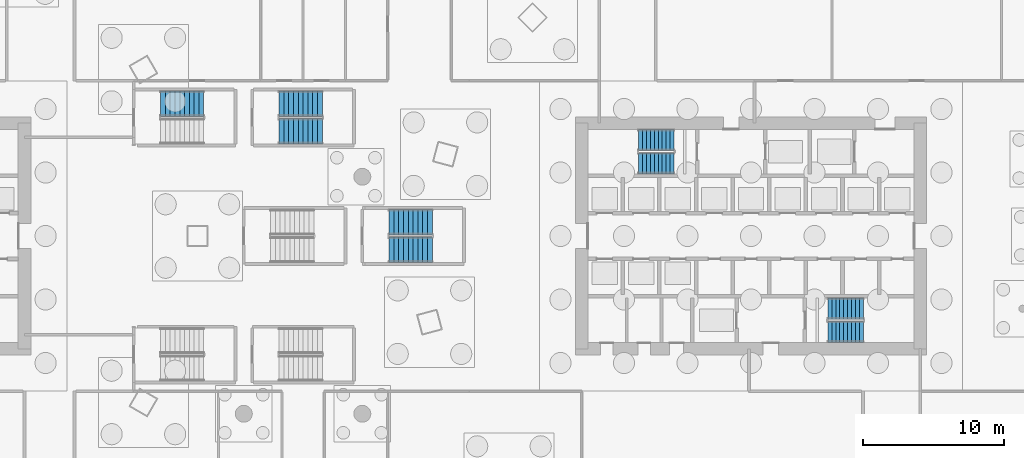
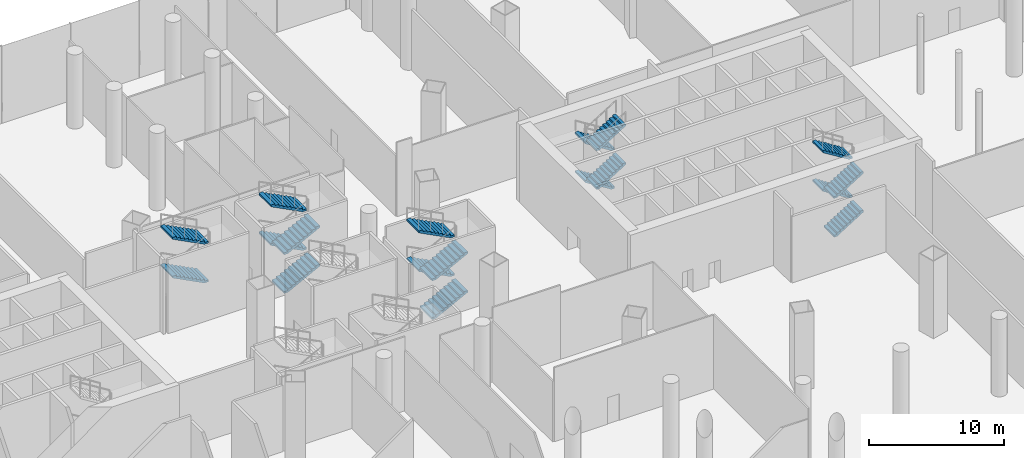
# One storey, part 36 of 41: 18 stair flights, 5 elements without a shape of their own.
"""IFC4 building model written with IfcOpenShell, lengths in metres."""

from ifc_helpers import new_model, si_unit, direction, frame, origin, place, context, subcontext, project, spatial, polyline, outline, extrude, material, type_object, element, aggregate, save


model = new_model("IFC4")

# Units and contexts
model_context = context("Model", 3, precision=1e-05, world=origin(), true_north=direction((0.0, 1.0)))
body_context = subcontext(model_context, "Body", "Model", "MODEL_VIEW")
ifc_project = project(units=[si_unit("LENGTHUNIT", "METRE"), si_unit("AREAUNIT", "SQUARE_METRE"), si_unit("VOLUMEUNIT", "CUBIC_METRE"), si_unit("PLANEANGLEUNIT", "RADIAN"), si_unit("MASSUNIT", "GRAM", prefix="KILO")], contexts=[model_context])

# Site, building, storey
site_placement = place(None, origin())
site = spatial("IfcSite", under=ifc_project, at=site_placement, CompositionType="ELEMENT")
building_placement = place(site_placement, origin())
building = spatial("IfcBuilding", under=site, at=building_placement, Name="Rimbun Link Towers", CompositionType="ELEMENT")
storey_placement = place(building_placement, origin())
storey = spatial("IfcBuildingStorey", under=building, at=storey_placement, Name="L00", CompositionType="ELEMENT", Elevation=0.0)

# Stair, stair flights
ifc_material_1 = material(Name="Concrete C40/50", Category="concrete")
stair_type_1 = type_object("IfcStairType", Name="Exit stair 7000 rise", PredefinedType="HALF_TURN_STAIR", material=ifc_material_1)
stair_1_placement = place(storey_placement, origin())
stair_1 = element("IfcStair", 1, at=stair_1_placement, inside=storey, type_object=stair_type_1, Name="L00 EXIT STAIR A", PredefinedType="HALF_TURN_STAIR")
ifc_material_2 = material(Name="Concrete C40/50", Category="concrete")
stair_flight_type_1 = type_object("IfcStairFlightType", Name="Exit stair flight 7000 rise", PredefinedType="STRAIGHT", material=ifc_material_2)
stair_flight_1_placement = place(storey_placement, frame((26.300048828125, 6.800048828125, 0.0), z_axis=(0.0, 0.0, 1.0), x_axis=(-1.0, 0.0, 0.0)))
stair_flight_1 = element("IfcStairFlight", 2, at=stair_flight_1_placement, type_object=stair_flight_type_1, Name="ST3 flight 1", NumberOfRisers=10, NumberOfTreads=9, PredefinedType="STRAIGHT", RiserHeight=0.175, TreadLength=0.28, context=body_context, shape_type="SweptSolid", body=[
    extrude(outline(polyline([(0.0, 0.0), (0.0, 0.175048828125), (0.280029296875, 0.175048828125), (0.280029296875, 0.35009765625), (0.56005859375, 0.35009765625), (0.56005859375, 0.52490234375), (0.840087890625, 0.52490234375), (0.840087890625, 0.699951171875), (1.1201171875, 0.699951171875), (1.1201171875, 0.875), (1.39990234375, 0.875), (1.39990234375, 1.050048828125), (1.679931640625, 1.050048828125), (1.679931640625, 1.22509765625), (1.9599609375, 1.22509765625), (1.9599609375, 1.39990234375), (2.239990234375, 1.39990234375), (2.239990234375, 1.574951171875), (2.52001953125, 1.574951171875), (2.52001953125, 1.75), (2.52001953125, 1.398193359375), (0.280029296875, 0.0), (0.0, 0.0)])), frame((0.0, 0.75, 0.0), z_axis=(0.0, -1.0, 0.0), x_axis=(1.0, 0.0, 0.0)), (0.0, 0.0, 1.0), 1.5),
])
stair_flight_2_placement = place(storey_placement, frame((23.780029296875, 5.14990234375, 1.75), z_axis=(0.0, 0.0, 1.0), x_axis=(1.0, 0.0, 0.0)))
stair_flight_2 = element("IfcStairFlight", 3, at=stair_flight_2_placement, type_object=stair_flight_type_1, Name="ST3 flight 2", NumberOfRisers=10, NumberOfTreads=9, PredefinedType="STRAIGHT", RiserHeight=0.175, TreadLength=0.28, context=body_context, shape_type="SweptSolid", body=[
    extrude(outline(polyline([(0.0, 0.0), (0.0, 0.175048828125), (0.280029296875, 0.175048828125), (0.280029296875, 0.35009765625), (0.56005859375, 0.35009765625), (0.56005859375, 0.52490234375), (0.840087890625, 0.52490234375), (0.840087890625, 0.699951171875), (1.1201171875, 0.699951171875), (1.1201171875, 0.875), (1.39990234375, 0.875), (1.39990234375, 1.050048828125), (1.679931640625, 1.050048828125), (1.679931640625, 1.22509765625), (1.9599609375, 1.22509765625), (1.9599609375, 1.39990234375), (2.239990234375, 1.39990234375), (2.239990234375, 1.574951171875), (2.52001953125, 1.574951171875), (2.52001953125, 1.75), (2.52001953125, 1.398193359375), (0.280029296875, 0.0), (0.0, 0.0)])), frame((0.0, 0.75, 0.0), z_axis=(0.0, -1.0, 0.0), x_axis=(1.0, 0.0, 0.0)), (0.0, 0.0, 1.0), 1.5),
])
stair_flight_3_placement = place(storey_placement, frame((26.300048828125, 6.800048828125, 3.5), z_axis=(0.0, 0.0, 1.0), x_axis=(-1.0, 0.0, 0.0)))
stair_flight_3 = element("IfcStairFlight", 4, at=stair_flight_3_placement, type_object=stair_flight_type_1, Name="ST3 flight 3", NumberOfRisers=10, NumberOfTreads=9, PredefinedType="STRAIGHT", RiserHeight=0.175, TreadLength=0.28, context=body_context, shape_type="SweptSolid", body=[
    extrude(outline(polyline([(0.0, 0.0), (0.0, 0.175048828125), (0.280029296875, 0.175048828125), (0.280029296875, 0.35009765625), (0.56005859375, 0.35009765625), (0.56005859375, 0.52490234375), (0.840087890625, 0.52490234375), (0.840087890625, 0.699951171875), (1.1201171875, 0.699951171875), (1.1201171875, 0.875), (1.39990234375, 0.875), (1.39990234375, 1.050048828125), (1.679931640625, 1.050048828125), (1.679931640625, 1.22509765625), (1.9599609375, 1.22509765625), (1.9599609375, 1.39990234375), (2.239990234375, 1.39990234375), (2.239990234375, 1.574951171875), (2.52001953125, 1.574951171875), (2.52001953125, 1.75), (2.52001953125, 1.398193359375), (0.280029296875, 0.0), (0.0, 0.0)])), frame((0.0, 0.75, 0.0), z_axis=(0.0, -1.0, 0.0), x_axis=(1.0, 0.0, 0.0)), (0.0, 0.0, 1.0), 1.5),
])
stair_flight_4_placement = place(storey_placement, frame((23.780029296875, 5.14990234375, 5.25), z_axis=(0.0, 0.0, 1.0), x_axis=(1.0, 0.0, 0.0)))
stair_flight_4 = element("IfcStairFlight", 5, at=stair_flight_4_placement, type_object=stair_flight_type_1, Name="ST3 flight 4", NumberOfRisers=10, NumberOfTreads=9, PredefinedType="STRAIGHT", RiserHeight=0.175, TreadLength=0.28, context=body_context, shape_type="SweptSolid", body=[
    extrude(outline(polyline([(0.0, 0.0), (0.0, 0.175048828125), (0.280029296875, 0.175048828125), (0.280029296875, 0.35009765625), (0.56005859375, 0.35009765625), (0.56005859375, 0.52490234375), (0.840087890625, 0.52490234375), (0.840087890625, 0.699951171875), (1.1201171875, 0.699951171875), (1.1201171875, 0.875), (1.39990234375, 0.875), (1.39990234375, 1.050048828125), (1.679931640625, 1.050048828125), (1.679931640625, 1.22509765625), (1.9599609375, 1.22509765625), (1.9599609375, 1.39990234375), (2.239990234375, 1.39990234375), (2.239990234375, 1.574951171875), (2.52001953125, 1.574951171875), (2.52001953125, 1.75), (2.52001953125, 1.398193359375), (0.280029296875, 0.0), (0.0, 0.0)])), frame((0.0, 0.75, 0.0), z_axis=(0.0, -1.0, 0.0), x_axis=(1.0, 0.0, 0.0)), (0.0, 0.0, 1.0), 1.5),
])
aggregate(stair_1, [stair_flight_1, stair_flight_2, stair_flight_3, stair_flight_4])

stair_2_placement = place(storey_placement, origin())
stair_2 = element("IfcStair", 6, at=stair_2_placement, inside=storey, type_object=stair_type_1, Name="L00 EXIT STAIR B", PredefinedType="HALF_TURN_STAIR")
stair_flight_5_placement = place(storey_placement, frame((37.199951171875, -6.800048828125, 0.0), z_axis=(0.0, 0.0, 1.0), x_axis=(1.0, 0.0, 0.0)))
stair_flight_5 = element("IfcStairFlight", 7, at=stair_flight_5_placement, type_object=stair_flight_type_1, Name="ST4 flight 1", NumberOfRisers=10, NumberOfTreads=9, PredefinedType="STRAIGHT", RiserHeight=0.175, TreadLength=0.28, context=body_context, shape_type="SweptSolid", body=[
    extrude(outline(polyline([(0.0, 0.0), (0.0, 0.175048828125), (0.280029296875, 0.175048828125), (0.280029296875, 0.35009765625), (0.56005859375, 0.35009765625), (0.56005859375, 0.52490234375), (0.840087890625, 0.52490234375), (0.840087890625, 0.699951171875), (1.1201171875, 0.699951171875), (1.1201171875, 0.875), (1.39990234375, 0.875), (1.39990234375, 1.050048828125), (1.679931640625, 1.050048828125), (1.679931640625, 1.22509765625), (1.9599609375, 1.22509765625), (1.9599609375, 1.39990234375), (2.239990234375, 1.39990234375), (2.239990234375, 1.574951171875), (2.52001953125, 1.574951171875), (2.52001953125, 1.75), (2.52001953125, 1.398193359375), (0.280029296875, 0.0), (0.0, 0.0)])), frame((0.0, 0.75, 0.0), z_axis=(0.0, -1.0, 0.0), x_axis=(1.0, 0.0, 0.0)), (0.0, 0.0, 1.0), 1.5),
])
stair_flight_6_placement = place(storey_placement, frame((39.719970703125, -5.14990234375, 1.75), z_axis=(0.0, 0.0, 1.0), x_axis=(-1.0, 0.0, 0.0)))
stair_flight_6 = element("IfcStairFlight", 8, at=stair_flight_6_placement, type_object=stair_flight_type_1, Name="ST4 flight 2", NumberOfRisers=10, NumberOfTreads=9, PredefinedType="STRAIGHT", RiserHeight=0.175, TreadLength=0.28, context=body_context, shape_type="SweptSolid", body=[
    extrude(outline(polyline([(0.0, 0.0), (0.0, 0.175048828125), (0.280029296875, 0.175048828125), (0.280029296875, 0.35009765625), (0.56005859375, 0.35009765625), (0.56005859375, 0.52490234375), (0.840087890625, 0.52490234375), (0.840087890625, 0.699951171875), (1.1201171875, 0.699951171875), (1.1201171875, 0.875), (1.39990234375, 0.875), (1.39990234375, 1.050048828125), (1.679931640625, 1.050048828125), (1.679931640625, 1.22509765625), (1.9599609375, 1.22509765625), (1.9599609375, 1.39990234375), (2.239990234375, 1.39990234375), (2.239990234375, 1.574951171875), (2.52001953125, 1.574951171875), (2.52001953125, 1.75), (2.52001953125, 1.398193359375), (0.280029296875, 0.0), (0.0, 0.0)])), frame((0.0, 0.75, 0.0), z_axis=(0.0, -1.0, 0.0), x_axis=(1.0, 0.0, 0.0)), (0.0, 0.0, 1.0), 1.5),
])
stair_flight_7_placement = place(storey_placement, frame((37.199951171875, -6.800048828125, 3.5), z_axis=(0.0, 0.0, 1.0), x_axis=(1.0, 0.0, 0.0)))
stair_flight_7 = element("IfcStairFlight", 9, at=stair_flight_7_placement, type_object=stair_flight_type_1, Name="ST4 flight 3", NumberOfRisers=10, NumberOfTreads=9, PredefinedType="STRAIGHT", RiserHeight=0.175, TreadLength=0.28, context=body_context, shape_type="SweptSolid", body=[
    extrude(outline(polyline([(0.0, 0.0), (0.0, 0.175048828125), (0.280029296875, 0.175048828125), (0.280029296875, 0.35009765625), (0.56005859375, 0.35009765625), (0.56005859375, 0.52490234375), (0.840087890625, 0.52490234375), (0.840087890625, 0.699951171875), (1.1201171875, 0.699951171875), (1.1201171875, 0.875), (1.39990234375, 0.875), (1.39990234375, 1.050048828125), (1.679931640625, 1.050048828125), (1.679931640625, 1.22509765625), (1.9599609375, 1.22509765625), (1.9599609375, 1.39990234375), (2.239990234375, 1.39990234375), (2.239990234375, 1.574951171875), (2.52001953125, 1.574951171875), (2.52001953125, 1.75), (2.52001953125, 1.398193359375), (0.280029296875, 0.0), (0.0, 0.0)])), frame((0.0, 0.75, 0.0), z_axis=(0.0, -1.0, 0.0), x_axis=(1.0, 0.0, 0.0)), (0.0, 0.0, 1.0), 1.5),
])
stair_flight_8_placement = place(storey_placement, frame((39.719970703125, -5.14990234375, 5.25), z_axis=(0.0, 0.0, 1.0), x_axis=(-1.0, 0.0, 0.0)))
stair_flight_8 = element("IfcStairFlight", 10, at=stair_flight_8_placement, type_object=stair_flight_type_1, Name="ST4 flight 4", NumberOfRisers=10, NumberOfTreads=9, PredefinedType="STRAIGHT", RiserHeight=0.175, TreadLength=0.28, context=body_context, shape_type="SweptSolid", body=[
    extrude(outline(polyline([(0.0, 0.0), (0.0, 0.175048828125), (0.280029296875, 0.175048828125), (0.280029296875, 0.35009765625), (0.56005859375, 0.35009765625), (0.56005859375, 0.52490234375), (0.840087890625, 0.52490234375), (0.840087890625, 0.699951171875), (1.1201171875, 0.699951171875), (1.1201171875, 0.875), (1.39990234375, 0.875), (1.39990234375, 1.050048828125), (1.679931640625, 1.050048828125), (1.679931640625, 1.22509765625), (1.9599609375, 1.22509765625), (1.9599609375, 1.39990234375), (2.239990234375, 1.39990234375), (2.239990234375, 1.574951171875), (2.52001953125, 1.574951171875), (2.52001953125, 1.75), (2.52001953125, 1.398193359375), (0.280029296875, 0.0), (0.0, 0.0)])), frame((0.0, 0.75, 0.0), z_axis=(0.0, -1.0, 0.0), x_axis=(1.0, 0.0, 0.0)), (0.0, 0.0, 1.0), 1.5),
])
aggregate(stair_2, [stair_flight_5, stair_flight_6, stair_flight_7, stair_flight_8])

ifc_material_3 = material(Name="Concrete C40/50", Category="concrete")
stair_type_2 = type_object("IfcStairType", Name="Podium exit stair 1800", PredefinedType="HALF_TURN_STAIR", material=ifc_material_3)
stair_3_placement = place(storey_placement, origin())
stair_3 = element("IfcStair", 11, at=stair_3_placement, inside=storey, type_object=stair_type_2, Name="L00 PODIUM EXIT STAIR", PredefinedType="HALF_TURN_STAIR")
ifc_material_4 = material(Name="Concrete C40/50", Category="concrete")
stair_flight_type_2 = type_object("IfcStairFlightType", Name="Podium exit stair flight 1800", PredefinedType="STRAIGHT", material=ifc_material_4)
stair_flight_9_placement = place(storey_placement, frame((-7.0400390625, 9.375, 1.75), z_axis=(0.0, 0.0, 1.0), x_axis=(-1.0, 0.0, 0.0)))
stair_flight_9 = element("IfcStairFlight", 12, at=stair_flight_9_placement, type_object=stair_flight_type_2, Name="PS3 flight 2", NumberOfRisers=10, NumberOfTreads=9, PredefinedType="STRAIGHT", RiserHeight=0.175, TreadLength=0.34, context=body_context, shape_type="SweptSolid", body=[
    extrude(outline(polyline([(0.0, 0.0), (0.0, 0.175048828125), (0.340087890625, 0.175048828125), (0.340087890625, 0.35009765625), (0.679931640625, 0.35009765625), (0.679931640625, 0.52490234375), (1.02001953125, 0.52490234375), (1.02001953125, 0.699951171875), (1.360107421875, 0.699951171875), (1.360107421875, 0.875), (1.699951171875, 0.875), (1.699951171875, 1.050048828125), (2.0400390625, 1.050048828125), (2.0400390625, 1.22509765625), (2.3798828125, 1.22509765625), (2.3798828125, 1.39990234375), (2.719970703125, 1.39990234375), (2.719970703125, 1.574951171875), (3.06005859375, 1.574951171875), (3.06005859375, 1.75), (3.06005859375, 1.406494140625), (0.340087890625, 0.0), (0.0, 0.0)])), frame((0.0, 0.89990234375, 0.0), z_axis=(0.0, -1.0, 0.0), x_axis=(1.0, 0.0, 0.0)), (0.0, 0.0, 1.0), 1.800048828125),
])
stair_flight_10_placement = place(storey_placement, frame((-7.0400390625, 9.375, 5.25), z_axis=(0.0, 0.0, 1.0), x_axis=(-1.0, 0.0, 0.0)))
stair_flight_10 = element("IfcStairFlight", 13, at=stair_flight_10_placement, type_object=stair_flight_type_2, Name="PS3 flight 4", NumberOfRisers=10, NumberOfTreads=9, PredefinedType="STRAIGHT", RiserHeight=0.175, TreadLength=0.34, context=body_context, shape_type="SweptSolid", body=[
    extrude(outline(polyline([(0.0, 0.0), (0.0, 0.175048828125), (0.340087890625, 0.175048828125), (0.340087890625, 0.35009765625), (0.679931640625, 0.35009765625), (0.679931640625, 0.52490234375), (1.02001953125, 0.52490234375), (1.02001953125, 0.699951171875), (1.360107421875, 0.699951171875), (1.360107421875, 0.875), (1.699951171875, 0.875), (1.699951171875, 1.050048828125), (2.0400390625, 1.050048828125), (2.0400390625, 1.22509765625), (2.3798828125, 1.22509765625), (2.3798828125, 1.39990234375), (2.719970703125, 1.39990234375), (2.719970703125, 1.574951171875), (3.06005859375, 1.574951171875), (3.06005859375, 1.75), (3.06005859375, 1.406494140625), (0.340087890625, 0.0), (0.0, 0.0)])), frame((0.0, 0.89990234375, 0.0), z_axis=(0.0, -1.0, 0.0), x_axis=(1.0, 0.0, 0.0)), (0.0, 0.0, 1.0), 1.800048828125),
])
aggregate(stair_3, [stair_flight_9, stair_flight_10])

stair_4_placement = place(storey_placement, origin())
stair_4 = element("IfcStair", 14, at=stair_4_placement, inside=storey, type_object=stair_type_2, Name="L00 PODIUM EXIT STAIR", PredefinedType="HALF_TURN_STAIR")
stair_flight_11_placement = place(storey_placement, frame((-1.699951171875, 7.425048828125, 0.0), z_axis=(0.0, 0.0, 1.0), x_axis=(1.0, 0.0, 0.0)))
stair_flight_11 = element("IfcStairFlight", 15, at=stair_flight_11_placement, type_object=stair_flight_type_2, Name="PS4 flight 1", NumberOfRisers=10, NumberOfTreads=9, PredefinedType="STRAIGHT", RiserHeight=0.175, TreadLength=0.34, context=body_context, shape_type="SweptSolid", body=[
    extrude(outline(polyline([(0.0, 0.0), (0.0, 0.175048828125), (0.340087890625, 0.175048828125), (0.340087890625, 0.35009765625), (0.679931640625, 0.35009765625), (0.679931640625, 0.52490234375), (1.02001953125, 0.52490234375), (1.02001953125, 0.699951171875), (1.360107421875, 0.699951171875), (1.360107421875, 0.875), (1.699951171875, 0.875), (1.699951171875, 1.050048828125), (2.0400390625, 1.050048828125), (2.0400390625, 1.22509765625), (2.3798828125, 1.22509765625), (2.3798828125, 1.39990234375), (2.719970703125, 1.39990234375), (2.719970703125, 1.574951171875), (3.06005859375, 1.574951171875), (3.06005859375, 1.75), (3.06005859375, 1.406494140625), (0.340087890625, 0.0), (0.0, 0.0)])), frame((0.0, 0.89990234375, 0.0), z_axis=(0.0, -1.0, 0.0), x_axis=(1.0, 0.0, 0.0)), (0.0, 0.0, 1.0), 1.800048828125),
])
stair_flight_12_placement = place(storey_placement, frame((1.360107421875, 9.375, 1.75), z_axis=(0.0, 0.0, 1.0), x_axis=(-1.0, 0.0, 0.0)))
stair_flight_12 = element("IfcStairFlight", 16, at=stair_flight_12_placement, type_object=stair_flight_type_2, Name="PS4 flight 2", NumberOfRisers=10, NumberOfTreads=9, PredefinedType="STRAIGHT", RiserHeight=0.175, TreadLength=0.34, context=body_context, shape_type="SweptSolid", body=[
    extrude(outline(polyline([(0.0, 0.0), (0.0, 0.175048828125), (0.340087890625, 0.175048828125), (0.340087890625, 0.35009765625), (0.679931640625, 0.35009765625), (0.679931640625, 0.52490234375), (1.02001953125, 0.52490234375), (1.02001953125, 0.699951171875), (1.360107421875, 0.699951171875), (1.360107421875, 0.875), (1.699951171875, 0.875), (1.699951171875, 1.050048828125), (2.0400390625, 1.050048828125), (2.0400390625, 1.22509765625), (2.3798828125, 1.22509765625), (2.3798828125, 1.39990234375), (2.719970703125, 1.39990234375), (2.719970703125, 1.574951171875), (3.06005859375, 1.574951171875), (3.06005859375, 1.75), (3.06005859375, 1.406494140625), (0.340087890625, 0.0), (0.0, 0.0)])), frame((0.0, 0.89990234375, 0.0), z_axis=(0.0, -1.0, 0.0), x_axis=(1.0, 0.0, 0.0)), (0.0, 0.0, 1.0), 1.800048828125),
])
stair_flight_13_placement = place(storey_placement, frame((-1.699951171875, 7.425048828125, 3.5), z_axis=(0.0, 0.0, 1.0), x_axis=(1.0, 0.0, 0.0)))
stair_flight_13 = element("IfcStairFlight", 17, at=stair_flight_13_placement, type_object=stair_flight_type_2, Name="PS4 flight 3", NumberOfRisers=10, NumberOfTreads=9, PredefinedType="STRAIGHT", RiserHeight=0.175, TreadLength=0.34, context=body_context, shape_type="SweptSolid", body=[
    extrude(outline(polyline([(0.0, 0.0), (0.0, 0.175048828125), (0.340087890625, 0.175048828125), (0.340087890625, 0.35009765625), (0.679931640625, 0.35009765625), (0.679931640625, 0.52490234375), (1.02001953125, 0.52490234375), (1.02001953125, 0.699951171875), (1.360107421875, 0.699951171875), (1.360107421875, 0.875), (1.699951171875, 0.875), (1.699951171875, 1.050048828125), (2.0400390625, 1.050048828125), (2.0400390625, 1.22509765625), (2.3798828125, 1.22509765625), (2.3798828125, 1.39990234375), (2.719970703125, 1.39990234375), (2.719970703125, 1.574951171875), (3.06005859375, 1.574951171875), (3.06005859375, 1.75), (3.06005859375, 1.406494140625), (0.340087890625, 0.0), (0.0, 0.0)])), frame((0.0, 0.89990234375, 0.0), z_axis=(0.0, -1.0, 0.0), x_axis=(1.0, 0.0, 0.0)), (0.0, 0.0, 1.0), 1.800048828125),
])
stair_flight_14_placement = place(storey_placement, frame((1.360107421875, 9.375, 5.25), z_axis=(0.0, 0.0, 1.0), x_axis=(-1.0, 0.0, 0.0)))
stair_flight_14 = element("IfcStairFlight", 18, at=stair_flight_14_placement, type_object=stair_flight_type_2, Name="PS4 flight 4", NumberOfRisers=10, NumberOfTreads=9, PredefinedType="STRAIGHT", RiserHeight=0.175, TreadLength=0.34, context=body_context, shape_type="SweptSolid", body=[
    extrude(outline(polyline([(0.0, 0.0), (0.0, 0.175048828125), (0.340087890625, 0.175048828125), (0.340087890625, 0.35009765625), (0.679931640625, 0.35009765625), (0.679931640625, 0.52490234375), (1.02001953125, 0.52490234375), (1.02001953125, 0.699951171875), (1.360107421875, 0.699951171875), (1.360107421875, 0.875), (1.699951171875, 0.875), (1.699951171875, 1.050048828125), (2.0400390625, 1.050048828125), (2.0400390625, 1.22509765625), (2.3798828125, 1.22509765625), (2.3798828125, 1.39990234375), (2.719970703125, 1.39990234375), (2.719970703125, 1.574951171875), (3.06005859375, 1.574951171875), (3.06005859375, 1.75), (3.06005859375, 1.406494140625), (0.340087890625, 0.0), (0.0, 0.0)])), frame((0.0, 0.89990234375, 0.0), z_axis=(0.0, -1.0, 0.0), x_axis=(1.0, 0.0, 0.0)), (0.0, 0.0, 1.0), 1.800048828125),
])
aggregate(stair_4, [stair_flight_11, stair_flight_12, stair_flight_13, stair_flight_14])

stair_5_placement = place(storey_placement, origin())
stair_5 = element("IfcStair", 19, at=stair_5_placement, inside=storey, type_object=stair_type_2, Name="L00 PODIUM EXIT STAIR", PredefinedType="HALF_TURN_STAIR")
stair_flight_15_placement = place(storey_placement, frame((6.10009765625, -0.97509765625, 0.0), z_axis=(0.0, 0.0, 1.0), x_axis=(1.0, 0.0, 0.0)))
stair_flight_15 = element("IfcStairFlight", 20, at=stair_flight_15_placement, type_object=stair_flight_type_2, Name="PS5 flight 1", NumberOfRisers=10, NumberOfTreads=9, PredefinedType="STRAIGHT", RiserHeight=0.175, TreadLength=0.34, context=body_context, shape_type="SweptSolid", body=[
    extrude(outline(polyline([(0.0, 0.0), (0.0, 0.175048828125), (0.340087890625, 0.175048828125), (0.340087890625, 0.35009765625), (0.679931640625, 0.35009765625), (0.679931640625, 0.52490234375), (1.02001953125, 0.52490234375), (1.02001953125, 0.699951171875), (1.360107421875, 0.699951171875), (1.360107421875, 0.875), (1.699951171875, 0.875), (1.699951171875, 1.050048828125), (2.0400390625, 1.050048828125), (2.0400390625, 1.22509765625), (2.3798828125, 1.22509765625), (2.3798828125, 1.39990234375), (2.719970703125, 1.39990234375), (2.719970703125, 1.574951171875), (3.06005859375, 1.574951171875), (3.06005859375, 1.75), (3.06005859375, 1.406494140625), (0.340087890625, 0.0), (0.0, 0.0)])), frame((0.0, 0.89990234375, 0.0), z_axis=(0.0, -1.0, 0.0), x_axis=(1.0, 0.0, 0.0)), (0.0, 0.0, 1.0), 1.800048828125),
])
stair_flight_16_placement = place(storey_placement, frame((9.159912109375, 0.97509765625, 1.75), z_axis=(0.0, 0.0, 1.0), x_axis=(-1.0, 0.0, 0.0)))
stair_flight_16 = element("IfcStairFlight", 21, at=stair_flight_16_placement, type_object=stair_flight_type_2, Name="PS5 flight 2", NumberOfRisers=10, NumberOfTreads=9, PredefinedType="STRAIGHT", RiserHeight=0.175, TreadLength=0.34, context=body_context, shape_type="SweptSolid", body=[
    extrude(outline(polyline([(0.0, 0.0), (0.0, 0.175048828125), (0.340087890625, 0.175048828125), (0.340087890625, 0.35009765625), (0.679931640625, 0.35009765625), (0.679931640625, 0.52490234375), (1.02001953125, 0.52490234375), (1.02001953125, 0.699951171875), (1.360107421875, 0.699951171875), (1.360107421875, 0.875), (1.699951171875, 0.875), (1.699951171875, 1.050048828125), (2.0400390625, 1.050048828125), (2.0400390625, 1.22509765625), (2.3798828125, 1.22509765625), (2.3798828125, 1.39990234375), (2.719970703125, 1.39990234375), (2.719970703125, 1.574951171875), (3.06005859375, 1.574951171875), (3.06005859375, 1.75), (3.06005859375, 1.406494140625), (0.340087890625, 0.0), (0.0, 0.0)])), frame((0.0, 0.89990234375, 0.0), z_axis=(0.0, -1.0, 0.0), x_axis=(1.0, 0.0, 0.0)), (0.0, 0.0, 1.0), 1.800048828125),
])
stair_flight_17_placement = place(storey_placement, frame((6.10009765625, -0.97509765625, 3.5), z_axis=(0.0, 0.0, 1.0), x_axis=(1.0, 0.0, 0.0)))
stair_flight_17 = element("IfcStairFlight", 22, at=stair_flight_17_placement, type_object=stair_flight_type_2, Name="PS5 flight 3", NumberOfRisers=10, NumberOfTreads=9, PredefinedType="STRAIGHT", RiserHeight=0.175, TreadLength=0.34, context=body_context, shape_type="SweptSolid", body=[
    extrude(outline(polyline([(0.0, 0.0), (0.0, 0.175048828125), (0.340087890625, 0.175048828125), (0.340087890625, 0.35009765625), (0.679931640625, 0.35009765625), (0.679931640625, 0.52490234375), (1.02001953125, 0.52490234375), (1.02001953125, 0.699951171875), (1.360107421875, 0.699951171875), (1.360107421875, 0.875), (1.699951171875, 0.875), (1.699951171875, 1.050048828125), (2.0400390625, 1.050048828125), (2.0400390625, 1.22509765625), (2.3798828125, 1.22509765625), (2.3798828125, 1.39990234375), (2.719970703125, 1.39990234375), (2.719970703125, 1.574951171875), (3.06005859375, 1.574951171875), (3.06005859375, 1.75), (3.06005859375, 1.406494140625), (0.340087890625, 0.0), (0.0, 0.0)])), frame((0.0, 0.89990234375, 0.0), z_axis=(0.0, -1.0, 0.0), x_axis=(1.0, 0.0, 0.0)), (0.0, 0.0, 1.0), 1.800048828125),
])
stair_flight_18_placement = place(storey_placement, frame((9.159912109375, 0.97509765625, 5.25), z_axis=(0.0, 0.0, 1.0), x_axis=(-1.0, 0.0, 0.0)))
stair_flight_18 = element("IfcStairFlight", 23, at=stair_flight_18_placement, type_object=stair_flight_type_2, Name="PS5 flight 4", NumberOfRisers=10, NumberOfTreads=9, PredefinedType="STRAIGHT", RiserHeight=0.175, TreadLength=0.34, context=body_context, shape_type="SweptSolid", body=[
    extrude(outline(polyline([(0.0, 0.0), (0.0, 0.175048828125), (0.340087890625, 0.175048828125), (0.340087890625, 0.35009765625), (0.679931640625, 0.35009765625), (0.679931640625, 0.52490234375), (1.02001953125, 0.52490234375), (1.02001953125, 0.699951171875), (1.360107421875, 0.699951171875), (1.360107421875, 0.875), (1.699951171875, 0.875), (1.699951171875, 1.050048828125), (2.0400390625, 1.050048828125), (2.0400390625, 1.22509765625), (2.3798828125, 1.22509765625), (2.3798828125, 1.39990234375), (2.719970703125, 1.39990234375), (2.719970703125, 1.574951171875), (3.06005859375, 1.574951171875), (3.06005859375, 1.75), (3.06005859375, 1.406494140625), (0.340087890625, 0.0), (0.0, 0.0)])), frame((0.0, 0.89990234375, 0.0), z_axis=(0.0, -1.0, 0.0), x_axis=(1.0, 0.0, 0.0)), (0.0, 0.0, 1.0), 1.800048828125),
])
aggregate(stair_5, [stair_flight_15, stair_flight_16, stair_flight_17, stair_flight_18])

save(model, "model.ifc")
